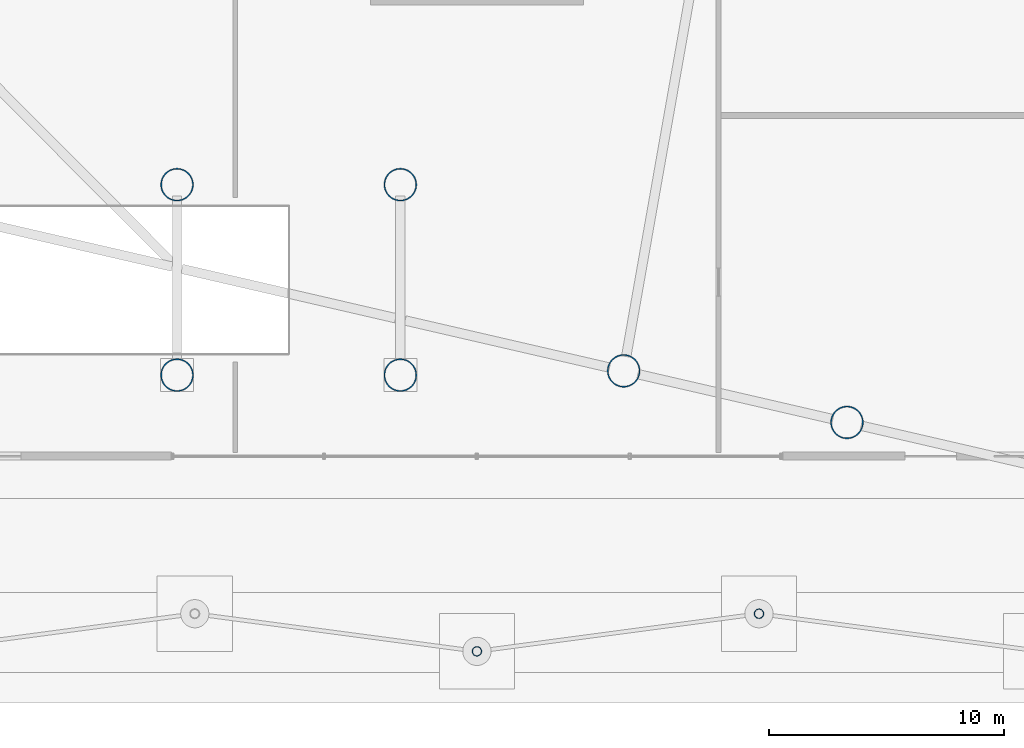
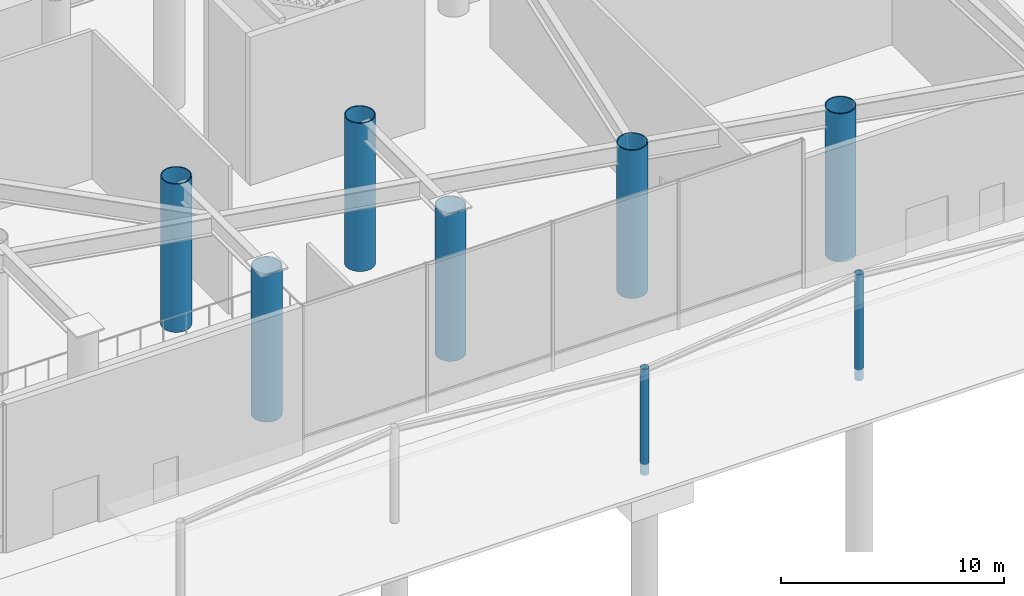
# One storey, part 3 of 28: 8 columns.
"""IFC4 building model written with IfcOpenShell, lengths in metres."""

from ifc_helpers import new_model, si_unit, direction, frame, origin, origin_2d, place, context, subcontext, project, spatial, hollow_circle, extrude, material, material_profile, profile_set, type_object, element, save


model = new_model("IFC4")

# Units and contexts
model_context = context("Model", 3, precision=1e-05, world=origin(), true_north=direction((0.0, 1.0)))
body_context = subcontext(model_context, "Body", "Model", "MODEL_VIEW")
ifc_project = project(units=[si_unit("LENGTHUNIT", "METRE"), si_unit("AREAUNIT", "SQUARE_METRE"), si_unit("VOLUMEUNIT", "CUBIC_METRE"), si_unit("PLANEANGLEUNIT", "RADIAN"), si_unit("MASSUNIT", "GRAM", prefix="KILO")], contexts=[model_context])

# Site, building, storey
site_placement = place(None, origin())
site = spatial("IfcSite", under=ifc_project, at=site_placement, CompositionType="ELEMENT")
building_placement = place(site_placement, origin())
building = spatial("IfcBuilding", under=site, at=building_placement, Name="Tavrogorsk Clinical Tower", CompositionType="ELEMENT")
storey_placement = place(building_placement, origin())
storey = spatial("IfcBuildingStorey", under=building, at=storey_placement, Name="L00", CompositionType="ELEMENT", Elevation=0.0)

# Columns
ifc_material_1 = material(Name="Structural steel S355", Category="steel")
ifc_material_profile_1 = material_profile(ifc_material_1, hollow_circle(Radius=0.203125, WallThickness=0.01611328125, at=origin_2d()), Name="CHS-406.4x16")
ifc_profile_set_1 = profile_set([ifc_material_profile_1], Name="Structural steel S355")
column_type_1 = type_object("IfcColumnType", Name="CanopyCol_CHS406", PredefinedType="COLUMN", material=ifc_profile_set_1)
for number, where, z_axis, x_axis, name in (
    (1, (0.0, -41.300048828125, -0.60009765625), (0.0, 0.0, 1.0), (1.0, 0.0, 0.0), "Ambulance Canopy Column CP-3"),
    (2, (12.0, -39.699951171875, -0.60009765625), (0.0, 0.0, 1.0), (1.0, 0.0, 0.0), "Ambulance Canopy Column CP-4"),
):
    element("IfcColumn", number, at=place(storey_placement, frame(where, z_axis=z_axis, x_axis=x_axis)), inside=storey, type_object=column_type_1, Name=name, PredefinedType="COLUMN", context=body_context, shape_type="SweptSolid", body=[
        extrude(hollow_circle(Radius=0.203125, WallThickness=0.01611328125, at=origin_2d()), origin(), (0.0, 0.0, 1.0), 5.800048828125),
    ])
ifc_material_2 = material(Name="Structural steel S440", Category="steel")
ifc_material_profile_2 = material_profile(ifc_material_2, hollow_circle(Radius=0.699951171875, WallThickness=0.050048828125, at=origin_2d()), Name="CHS-1400x50")
ifc_profile_set_2 = profile_set([ifc_material_profile_2], Name="Structural steel S440")
column_type_2 = type_object("IfcColumnType", Name="PilotisStilt_CHS1400", PredefinedType="COLUMN", material=ifc_profile_set_2)
for number, where, z_axis, x_axis, name in (
    (3, (-12.755126953125, -29.550048828125, 0.0), (0.0, 0.0, 1.0), (1.0, 0.0, 0.0), "L00 Ramp Portal Stilt S4-S"),
    (4, (-12.755126953125, -21.449951171875, 0.0), (0.0, 0.0, 1.0), (1.0, 0.0, 0.0), "L00 Ramp Portal Stilt S4-N"),
    (5, (-3.25634765625, -29.550048828125, 0.0), (0.0, 0.0, 1.0), (1.0, 0.0, 0.0), "L00 Ramp Portal Stilt S5-S"),
    (6, (-3.25634765625, -21.449951171875, 0.0), (0.0, 0.0, 1.0), (1.0, 0.0, 0.0), "L00 Ramp Portal Stilt S5-N"),
    (7, (6.2421875, -29.37060546875, 0.0), (0.0, 0.0, 1.0), (1.0, 0.0, 0.0), "L00 Open Pilotis Stilt S6"),
    (8, (15.740966796875, -31.563720703125, 0.0), (0.0, 0.0, 1.0), (1.0, 0.0, 0.0), "L00 Open Pilotis Stilt S7"),
):
    element("IfcColumn", number, at=place(storey_placement, frame(where, z_axis=z_axis, x_axis=x_axis)), inside=storey, type_object=column_type_2, Name=name, PredefinedType="COLUMN", context=body_context, shape_type="SweptSolid", body=[
        extrude(hollow_circle(Radius=0.699951171875, WallThickness=0.050048828125, at=origin_2d()), origin(), (0.0, 0.0, 1.0), 8.10009765625),
    ])

save(model, "model.ifc")
